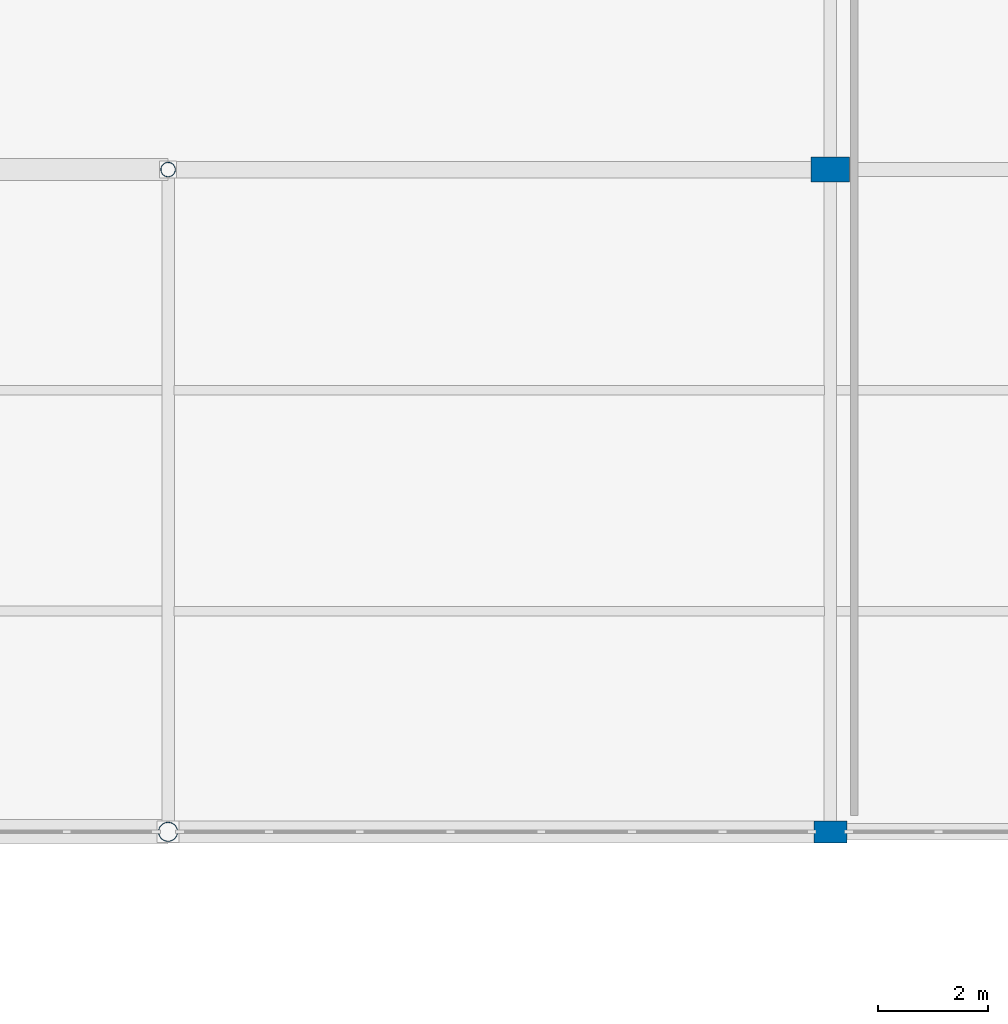
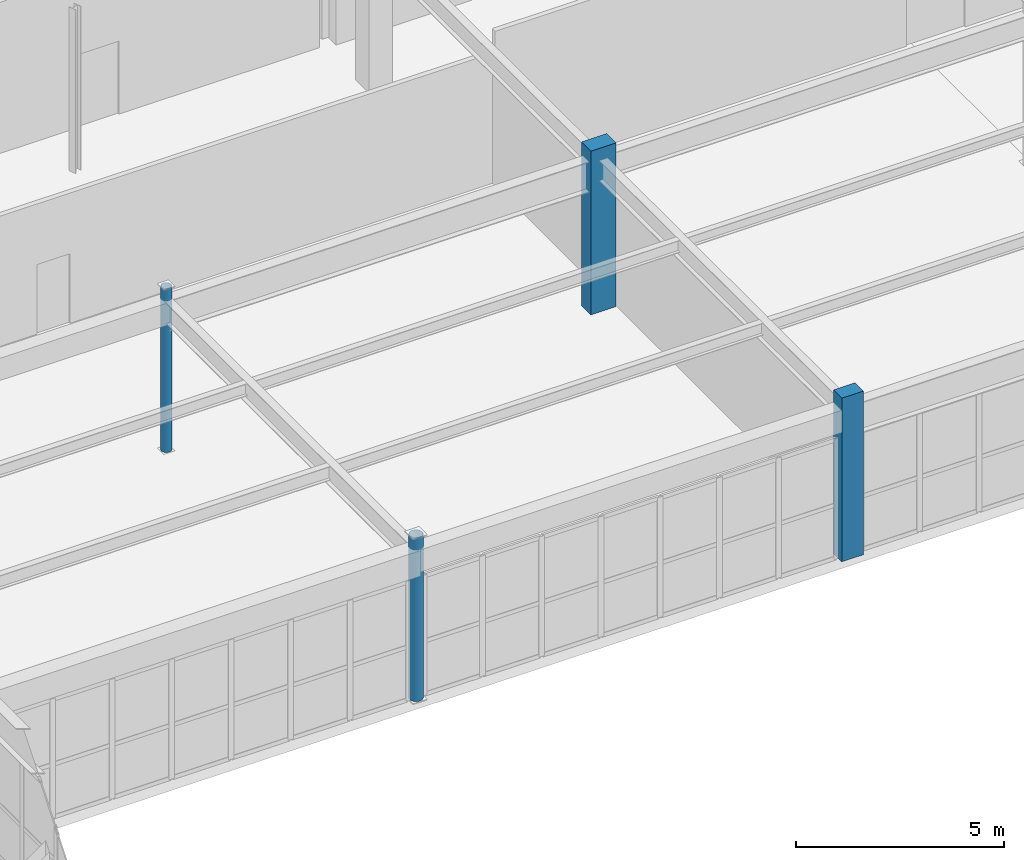
# One storey, part 28 of 226: 4 columns.
"""IFC4 building model written with IfcOpenShell, lengths in metres."""

from ifc_helpers import new_model, si_unit, direction, frame, origin, origin_2d, place, context, subcontext, project, spatial, rectangle, hollow_circle, extrude, material, material_profile, profile_set, type_object, element, save


model = new_model("IFC4")

# Units and contexts
model_context = context("Model", 3, precision=1e-05, world=origin(), true_north=direction((0.0, 1.0)))
body_context = subcontext(model_context, "Body", "Model", "MODEL_VIEW")
ifc_project = project(units=[si_unit("LENGTHUNIT", "METRE"), si_unit("AREAUNIT", "SQUARE_METRE"), si_unit("VOLUMEUNIT", "CUBIC_METRE"), si_unit("PLANEANGLEUNIT", "RADIAN"), si_unit("MASSUNIT", "GRAM", prefix="KILO")], contexts=[model_context])

# Site, building, storey
site_placement = place(None, origin())
site = spatial("IfcSite", under=ifc_project, at=site_placement, CompositionType="ELEMENT")
building_placement = place(site_placement, origin())
building = spatial("IfcBuilding", under=site, at=building_placement, Name="Tarnwether General Hospital", CompositionType="ELEMENT")
storey_placement = place(building_placement, frame((0.0, 0.0, 4.800048828125)))
storey = spatial("IfcBuildingStorey", under=building, at=storey_placement, Name="L01", CompositionType="ELEMENT", Elevation=4.800048828125)

# Columns
ifc_material_1 = material(Name="Steel Grade C350L0 (350 MPa)", Category="steel")
ifc_material_profile_1 = material_profile(ifc_material_1, hollow_circle(Radius=0.177734375, WallThickness=0.0126953125, at=origin_2d()), Name="CHS355.6x12.7")
ifc_profile_set_1 = profile_set([ifc_material_profile_1], Name="Steel Grade C350L0 (350 MPa)")
column_type_1 = type_object("IfcColumnType", Name="COL-11", PredefinedType="COLUMN", material=ifc_profile_set_1)
column_1_placement = place(storey_placement, frame((72.0, 81.60009765625, 0.0), z_axis=(0.0, 0.0, 1.0), x_axis=(1.0, 0.0, 0.0)))
element("IfcColumn", 1, at=column_1_placement, inside=storey, type_object=column_type_1, Name="Column COLG-L01-7200_8160", PredefinedType="COLUMN", context=body_context, shape_type="SweptSolid", body=[
    extrude(hollow_circle(Radius=0.177734375, WallThickness=0.0126953125, at=origin_2d()), origin(), (0.0, 0.0, 1.0), 4.800048828125),
])
ifc_material_2 = material(Name="Steel Grade C350L0 (350 MPa)", Category="steel")
ifc_material_profile_2 = material_profile(ifc_material_2, hollow_circle(Radius=0.136474609375, WallThickness=0.0126953125, at=origin_2d()), Name="CHS273.1x12.7")
ifc_profile_set_2 = profile_set([ifc_material_profile_2], Name="Steel Grade C350L0 (350 MPa)")
column_type_2 = type_object("IfcColumnType", Name="COL-12", PredefinedType="COLUMN", material=ifc_profile_set_2)
column_2_placement = place(storey_placement, frame((72.0, 93.60009765625, 0.0), z_axis=(0.0, 0.0, 1.0), x_axis=(1.0, 0.0, 0.0)))
element("IfcColumn", 2, at=column_2_placement, inside=storey, type_object=column_type_2, Name="Column COLG-L01-7200_9360", PredefinedType="COLUMN", context=body_context, shape_type="SweptSolid", body=[
    extrude(hollow_circle(Radius=0.136474609375, WallThickness=0.0126953125, at=origin_2d()), origin(), (0.0, 0.0, 1.0), 4.800048828125),
])
ifc_material_3 = material(Name="Concrete 50 MPa", Category="concrete")
ifc_material_profile_3 = material_profile(ifc_material_3, rectangle(XDim=0.39990234375, YDim=0.60009765625, at=origin_2d()), Name="RC-PIL-400x600")
ifc_profile_set_3 = profile_set([ifc_material_profile_3], Name="Concrete 50 MPa")
column_type_3 = type_object("IfcColumnType", Name="COL-21", PredefinedType="PILASTER", material=ifc_profile_set_3)
column_3_placement = place(storey_placement, frame((84.0, 81.60009765625, 0.0), z_axis=(0.0, 0.0, 1.0), x_axis=(0.0, 1.0, 0.0)))
element("IfcColumn", 3, at=column_3_placement, inside=storey, type_object=column_type_3, Name="Column COLG-L01-8400_8160", PredefinedType="PILASTER", context=body_context, shape_type="SweptSolid", body=[
    extrude(rectangle(XDim=0.39990234375, YDim=0.60009765625, at=origin_2d()), origin(), (0.0, 0.0, 1.0), 4.800048828125),
])
ifc_material_4 = material(Name="Concrete 50 MPa", Category="concrete")
ifc_material_profile_4 = material_profile(ifc_material_4, rectangle(XDim=0.449951171875, YDim=0.699951171875, at=origin_2d()), Name="RC-PIL-450x700")
ifc_profile_set_4 = profile_set([ifc_material_profile_4], Name="Concrete 50 MPa")
column_type_4 = type_object("IfcColumnType", Name="COL-22", PredefinedType="PILASTER", material=ifc_profile_set_4)
column_4_placement = place(storey_placement, frame((84.0, 93.60009765625, 0.0), z_axis=(0.0, 0.0, 1.0), x_axis=(0.0, 1.0, 0.0)))
element("IfcColumn", 4, at=column_4_placement, inside=storey, type_object=column_type_4, Name="Column COLG-L01-8400_9360", PredefinedType="PILASTER", context=body_context, shape_type="SweptSolid", body=[
    extrude(rectangle(XDim=0.449951171875, YDim=0.699951171875, at=origin_2d()), origin(), (0.0, 0.0, 1.0), 4.800048828125),
])

save(model, "model.ifc")
